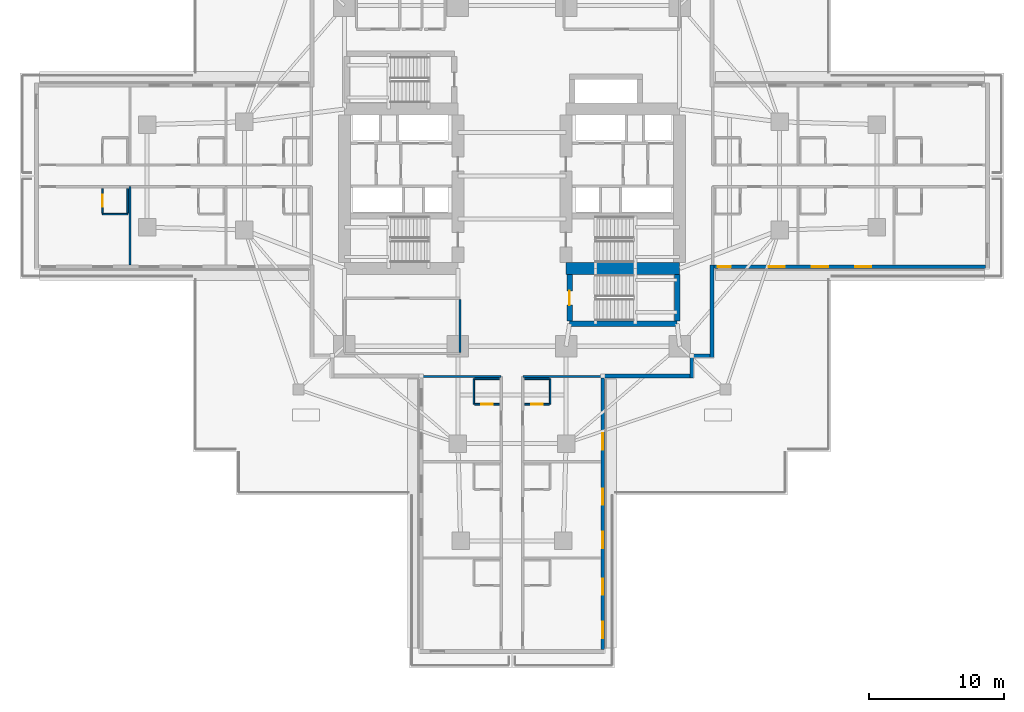
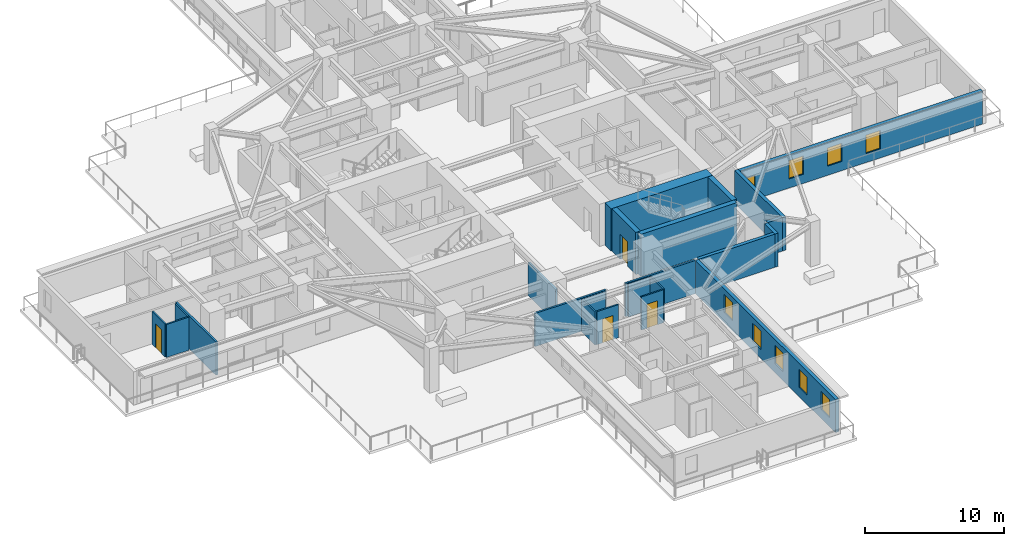
# One storey, part 4 of 15: 23 walls, 8 windows, 5 doors, 13 openings.
"""IFC4 building model written with IfcOpenShell, lengths in metres."""

from ifc_helpers import new_model, si_unit, direction, frame, frame_2d, origin, place, context, subcontext, project, spatial, rectangle, extrude, material, layer, layer_set, type_object, element, fill, save


model = new_model("IFC4")

# Units and contexts
model_context = context("Model", 3, precision=1e-05, world=origin(), true_north=direction((0.0, 1.0)))
body_context = subcontext(model_context, "Body", "Model", "MODEL_VIEW")
ifc_project = project(units=[si_unit("LENGTHUNIT", "METRE"), si_unit("AREAUNIT", "SQUARE_METRE"), si_unit("VOLUMEUNIT", "CUBIC_METRE"), si_unit("PLANEANGLEUNIT", "RADIAN"), si_unit("MASSUNIT", "GRAM", prefix="KILO")], contexts=[model_context])

# Site, building, storey
site_placement = place(None, origin())
site = spatial("IfcSite", under=ifc_project, at=site_placement, CompositionType="ELEMENT")
building_placement = place(site_placement, origin())
building = spatial("IfcBuilding", under=site, at=building_placement, Name="Qingluan Cross Belvedere", CompositionType="ELEMENT")
storey_placement = place(building_placement, frame((0.0, 0.0, 23.699951171875)))
storey = spatial("IfcBuildingStorey", under=building, at=storey_placement, Name="L06", CompositionType="ELEMENT", Elevation=23.699951171875)

# Wall
ifc_material_1 = material(Name="Concrete C50", Category="concrete")
ifc_layer_1 = layer(ifc_material_1, 0.449951171875, Name="CoreShearWall_450")
ifc_layer_set_1 = layer_set([ifc_layer_1], Name="Concrete C50")
wall_type_1 = type_object("IfcWallType", Name="CoreShearWall_450", PredefinedType="SHEAR", material=ifc_layer_set_1)
wall_1_placement = place(storey_placement, frame((4.260009765625, -10.93994140625, 0.0), z_axis=(0.0, 0.0, 1.0), x_axis=(1.0, 0.0, 0.0)))
element("IfcWall", 1, at=wall_1_placement, inside=storey, type_object=wall_type_1, Name="Stair ST4 structural wall S L06", PredefinedType="SHEAR", context=body_context, shape_type="SweptSolid", body=[
    extrude(rectangle(XDim=7.9599609375, YDim=0.39990234375, at=frame_2d((3.97998046875, 0.0))), origin(), (0.0, 0.0, 1.0), 3.699951171875),
])

# Wall, opening, door
wall_2_placement = place(storey_placement, frame((4.260009765625, -10.735107421875, 0.0), z_axis=(0.0, 0.0, 1.0), x_axis=(0.0, 1.0, 0.0)))
wall_2 = element("IfcWall", 2, at=wall_2_placement, inside=storey, type_object=wall_type_1, Name="Stair ST4 structural wall W L06", PredefinedType="SHEAR", context=body_context, shape_type="SweptSolid", body=[
    extrude(rectangle(XDim=3.43017578125, YDim=0.39990234375, at=frame_2d((1.715087890625, 0.0))), origin(), (0.0, 0.0, 1.0), 3.699951171875),
])
opening_1_placement = place(wall_2_placement, frame((1.18505859375, 0.0, 0.0)))
opening_1 = element("IfcOpeningElement", 3, at=opening_1_placement, cuts=wall_2, Name="Opening FD-B11", PredefinedType="OPENING", context=body_context, shape_type="SweptSolid", body=[
    extrude(rectangle(XDim=1.050048828125, YDim=2.14990234375, at=frame_2d((0.52490234375, 1.074951171875))), frame((0.0, 0.2099609375, 0.0), z_axis=(0.0, -1.0, 0.0), x_axis=(1.0, 0.0, 0.0)), (0.0, 0.0, 1.0), 0.419921875),
])
ifc_material_2 = material(Name="Steel Class B smoke-seal fire door", Category="steel")
door_type_1 = type_object("IfcDoorType", Name="StairLobbyFireDoor_FDB", OperationType="NOTDEFINED", PredefinedType="DOOR", material=ifc_material_2)
door_1_placement = place(opening_1_placement, origin())
door_1 = element("IfcDoor", 4, at=door_1_placement, inside=storey, type_object=door_type_1, Name="Smoke-proof stair ST4 fire door L06", OperationType="SINGLE_SWING_LEFT", OverallHeight=2.14990234375, OverallWidth=1.050048828125, PredefinedType="DOOR", context=body_context, shape_type="SweptSolid", body=[
    extrude(rectangle(XDim=1.050048828125, YDim=2.14990234375, at=frame_2d((0.52490234375, 1.074951171875))), frame((0.0, 0.02490234375, 0.0), z_axis=(0.0, -1.0, 0.0), x_axis=(1.0, 0.0, 0.0)), (0.0, 0.0, 1.0), 0.050048828125),
])
fill(opening_1, door_1)

# Walls
wall_3_placement = place(storey_placement, frame((12.219970703125, -10.735107421875, 0.0), z_axis=(0.0, 0.0, 1.0), x_axis=(0.0, 1.0, 0.0)))
element("IfcWall", 5, at=wall_3_placement, inside=storey, type_object=wall_type_1, Name="Stair ST4 structural wall E L06", PredefinedType="SHEAR", context=body_context, shape_type="SweptSolid", body=[
    extrude(rectangle(XDim=3.43017578125, YDim=0.39990234375, at=frame_2d((1.715087890625, 0.0))), origin(), (0.0, 0.0, 1.0), 3.699951171875),
])
ifc_material_3 = material(Name="Concrete C70", Category="concrete")
ifc_layer_2 = layer(ifc_material_3, 0.89990234375, Name="CoreShearWall_900")
ifc_layer_set_2 = layer_set([ifc_layer_2], Name="Concrete C70")
wall_type_2 = type_object("IfcWallType", Name="CoreShearWall_900", PredefinedType="SHEAR", material=ifc_layer_set_2)
wall_4_placement = place(storey_placement, frame((4.0, -6.85009765625, 0.0), z_axis=(0.0, 0.0, 1.0), x_axis=(1.0, 0.0, 0.0)))
element("IfcWall", 6, at=wall_4_placement, inside=storey, type_object=wall_type_2, Name="Split core E shear wall L06-S", PredefinedType="SHEAR", context=body_context, shape_type="SweptSolid", body=[
    extrude(rectangle(XDim=8.39990234375, YDim=0.89990234375, at=frame_2d((4.199951171875, 0.0))), origin(), (0.0, 0.0, 1.0), 3.699951171875),
])
ifc_material_4 = material(Name="Gypsum plasterboard on steel stud acoustic partition", Category="steel")
ifc_layer_3 = layer(ifc_material_4, 0.159912109375, Name="CorridorPartition_160")
ifc_layer_set_3 = layer_set([ifc_layer_3], Name="Gypsum plasterboard on steel stud acoustic partition")
wall_type_3 = type_object("IfcWallType", Name="CorridorPartition_160", PredefinedType="PARTITIONING", material=ifc_layer_set_3)
wall_5_placement = place(storey_placement, frame((-3.85009765625, -13.06494140625, 0.0), z_axis=(0.0, 0.0, 1.0), x_axis=(0.0, 1.0, 0.0)))
element("IfcWall", 7, at=wall_5_placement, inside=storey, type_object=wall_type_3, Name="Partition L06:q_sw:E", PredefinedType="PARTITIONING", context=body_context, shape_type="SweptSolid", body=[
    extrude(rectangle(XDim=3.929931640625, YDim=0.159912109375, at=frame_2d((1.96484375, 0.0))), origin(), (0.0, 0.0, 1.0), 2.900146484375),
])
wall_6_placement = place(storey_placement, frame((-28.26806640625, -0.800048828125, 0.0), z_axis=(0.0, 0.0, 1.0), x_axis=(0.0, -1.0, 0.0)))
element("IfcWall", 8, at=wall_6_placement, inside=storey, type_object=wall_type_3, Name="Partition L06:W:d1_1", PredefinedType="PARTITIONING", context=body_context, shape_type="SweptSolid", body=[
    extrude(rectangle(XDim=5.77197265625, YDim=0.159912109375, at=frame_2d((2.885986328125, 0.0))), origin(), (0.0, 0.0, 1.0), 2.900146484375),
])
for number, where, z_axis, x_axis, name in (
    (9, (0.800048828125, -14.85009765625, 0.0), (0.0, 0.0, 1.0), (1.0, 0.0, 0.0), "Partition L06:S:s0"),
    (10, (-0.800048828125, -14.85009765625, 0.0), (0.0, 0.0, 1.0), (-1.0, 0.0, 0.0), "Partition L06:S:s1"),
):
    element("IfcWall", number, at=place(storey_placement, frame(where, z_axis=z_axis, x_axis=x_axis)), inside=storey, type_object=wall_type_3, Name=name, PredefinedType="PARTITIONING", context=body_context, shape_type="SweptSolid", body=[
        extrude(rectangle(XDim=5.919921875, YDim=0.159912109375, at=frame_2d((2.9599609375, 0.0))), origin(), (0.0, 0.0, 1.0), 2.900146484375),
    ])

# Wall, opening, door
ifc_material_5 = material(Name="Moisture-resistant gypsum board lining")
ifc_layer_4 = layer(ifc_material_5, 0.1201171875, Name="EnsuiteWetPartition_120")
ifc_layer_set_4 = layer_set([ifc_layer_4], Name="Moisture-resistant gypsum board lining")
wall_type_4 = type_object("IfcWallType", Name="EnsuiteWetPartition_120", PredefinedType="PARTITIONING", material=ifc_layer_set_4)
wall_7_placement = place(storey_placement, frame((-30.30810546875, -2.760009765625, 0.0), z_axis=(0.0, 0.0, 1.0), x_axis=(0.0, 1.0, 0.0)))
wall_7 = element("IfcWall", 11, at=wall_7_placement, inside=storey, type_object=wall_type_4, Name="Partition L06:W:bs1_2", PredefinedType="PARTITIONING", context=body_context, shape_type="SweptSolid", body=[
    extrude(rectangle(XDim=1.820068359375, YDim=0.1201171875, at=frame_2d((0.91015625, 0.0))), origin(), (0.0, 0.0, 1.0), 2.900146484375),
])
opening_2_placement = place(wall_7_placement, frame((0.469970703125, 0.0, 0.0)))
opening_2 = element("IfcOpeningElement", 12, at=opening_2_placement, cuts=wall_7, Name="Opening BD-09", PredefinedType="OPENING", context=body_context, shape_type="SweptSolid", body=[
    extrude(rectangle(XDim=0.8798828125, YDim=2.10009765625, at=frame_2d((0.43994140625, 1.050048828125))), frame((0.0, 0.070068359375, 0.0), z_axis=(0.0, -1.0, 0.0), x_axis=(1.0, 0.0, 0.0)), (0.0, 0.0, 1.0), 0.14013671875),
])
ifc_material_6 = material(Name="Moisture-sealed timber en-suite door", Category="wood")
door_type_2 = type_object("IfcDoorType", Name="BathroomDoor_880", OperationType="NOTDEFINED", PredefinedType="DOOR", material=ifc_material_6)
door_2_placement = place(opening_2_placement, origin())
door_2 = element("IfcDoor", 13, at=door_2_placement, inside=storey, type_object=door_type_2, Name="Bathroom door 0612", OperationType="SINGLE_SWING_RIGHT", OverallHeight=2.10009765625, OverallWidth=0.8798828125, PredefinedType="DOOR", context=body_context, shape_type="SweptSolid", body=[
    extrude(rectangle(XDim=0.8798828125, YDim=2.10009765625, at=frame_2d((0.43994140625, 1.050048828125))), frame((0.0, 0.02490234375, 0.0), z_axis=(0.0, -1.0, 0.0), x_axis=(1.0, 0.0, 0.0)), (0.0, 0.0, 1.0), 0.050048828125),
])
fill(opening_2, door_2)

# Walls
wall_8_placement = place(storey_placement, frame((-28.427978515625, -2.760009765625, 0.0), z_axis=(0.0, 0.0, 1.0), x_axis=(0.0, 1.0, 0.0)))
element("IfcWall", 14, at=wall_8_placement, inside=storey, type_object=wall_type_4, Name="Partition L06:W:bw1_2", PredefinedType="PARTITIONING", context=body_context, shape_type="SweptSolid", body=[
    extrude(rectangle(XDim=1.820068359375, YDim=0.1201171875, at=frame_2d((0.91015625, 0.0))), origin(), (0.0, 0.0, 1.0), 2.900146484375),
])
wall_9_placement = place(storey_placement, frame((-28.427978515625, -2.824951171875, 0.0), z_axis=(0.0, 0.0, 1.0), x_axis=(-1.0, 0.0, 0.0)))
element("IfcWall", 15, at=wall_9_placement, inside=storey, type_object=wall_type_4, Name="Partition L06:W:bc1_2", PredefinedType="PARTITIONING", context=body_context, shape_type="SweptSolid", body=[
    extrude(rectangle(XDim=1.880126953125, YDim=0.1201171875, at=frame_2d((0.93994140625, 0.0))), origin(), (0.0, 0.0, 1.0), 2.900146484375),
])

# Wall, opening, door
wall_10_placement = place(storey_placement, frame((0.93994140625, -16.889892578125, 0.0), z_axis=(0.0, 0.0, 1.0), x_axis=(1.0, 0.0, 0.0)))
wall_10 = element("IfcWall", 16, at=wall_10_placement, inside=storey, type_object=wall_type_4, Name="Partition L06:S:bs0_0", PredefinedType="PARTITIONING", context=body_context, shape_type="SweptSolid", body=[
    extrude(rectangle(XDim=1.820068359375, YDim=0.1201171875, at=frame_2d((0.91015625, 0.0))), origin(), (0.0, 0.0, 1.0), 2.900146484375),
])
opening_3_placement = place(wall_10_placement, frame((0.469970703125, 0.0, 0.0)))
opening_3 = element("IfcOpeningElement", 17, at=opening_3_placement, cuts=wall_10, Name="Opening BD-09", PredefinedType="OPENING", context=body_context, shape_type="SweptSolid", body=[
    extrude(rectangle(XDim=0.8798828125, YDim=2.10009765625, at=frame_2d((0.43994140625, 1.050048828125))), frame((0.0, 0.070068359375, 0.0), z_axis=(0.0, -1.0, 0.0), x_axis=(1.0, 0.0, 0.0)), (0.0, 0.0, 1.0), 0.14013671875),
])
door_3_placement = place(opening_3_placement, origin())
door_3 = element("IfcDoor", 18, at=door_3_placement, inside=storey, type_object=door_type_2, Name="Bathroom door 0619", OperationType="SINGLE_SWING_RIGHT", OverallHeight=2.10009765625, OverallWidth=0.8798828125, PredefinedType="DOOR", context=body_context, shape_type="SweptSolid", body=[
    extrude(rectangle(XDim=0.8798828125, YDim=2.10009765625, at=frame_2d((0.43994140625, 1.050048828125))), frame((0.0, 0.02490234375, 0.0), z_axis=(0.0, -1.0, 0.0), x_axis=(1.0, 0.0, 0.0)), (0.0, 0.0, 1.0), 0.050048828125),
])
fill(opening_3, door_3)

# Walls
wall_11_placement = place(storey_placement, frame((0.93994140625, -15.010009765625, 0.0), z_axis=(0.0, 0.0, 1.0), x_axis=(1.0, 0.0, 0.0)))
element("IfcWall", 19, at=wall_11_placement, inside=storey, type_object=wall_type_4, Name="Partition L06:S:bw0_0", PredefinedType="PARTITIONING", context=body_context, shape_type="SweptSolid", body=[
    extrude(rectangle(XDim=1.820068359375, YDim=0.1201171875, at=frame_2d((0.91015625, 0.0))), origin(), (0.0, 0.0, 1.0), 2.900146484375),
])
wall_12_placement = place(storey_placement, frame((2.824951171875, -15.010009765625, 0.0), z_axis=(0.0, 0.0, 1.0), x_axis=(0.0, -1.0, 0.0)))
element("IfcWall", 20, at=wall_12_placement, inside=storey, type_object=wall_type_4, Name="Partition L06:S:bn0_0", PredefinedType="PARTITIONING", context=body_context, shape_type="SweptSolid", body=[
    extrude(rectangle(XDim=1.8798828125, YDim=0.1201171875, at=frame_2d((0.93994140625, 0.0))), origin(), (0.0, 0.0, 1.0), 2.900146484375),
])

# Wall, opening, door
wall_13_placement = place(storey_placement, frame((-2.760009765625, -16.889892578125, 0.0), z_axis=(0.0, 0.0, 1.0), x_axis=(1.0, 0.0, 0.0)))
wall_13 = element("IfcWall", 21, at=wall_13_placement, inside=storey, type_object=wall_type_4, Name="Partition L06:S:bs1_0", PredefinedType="PARTITIONING", context=body_context, shape_type="SweptSolid", body=[
    extrude(rectangle(XDim=1.820068359375, YDim=0.1201171875, at=frame_2d((0.91015625, 0.0))), origin(), (0.0, 0.0, 1.0), 2.900146484375),
])
opening_4_placement = place(wall_13_placement, frame((0.469970703125, 0.0, 0.0)))
opening_4 = element("IfcOpeningElement", 22, at=opening_4_placement, cuts=wall_13, Name="Opening BD-09", PredefinedType="OPENING", context=body_context, shape_type="SweptSolid", body=[
    extrude(rectangle(XDim=0.8798828125, YDim=2.10009765625, at=frame_2d((0.43994140625, 1.050048828125))), frame((0.0, 0.070068359375, 0.0), z_axis=(0.0, -1.0, 0.0), x_axis=(1.0, 0.0, 0.0)), (0.0, 0.0, 1.0), 0.14013671875),
])
door_4_placement = place(opening_4_placement, origin())
door_4 = element("IfcDoor", 23, at=door_4_placement, inside=storey, type_object=door_type_2, Name="Bathroom door 0622", OperationType="SINGLE_SWING_RIGHT", OverallHeight=2.10009765625, OverallWidth=0.8798828125, PredefinedType="DOOR", context=body_context, shape_type="SweptSolid", body=[
    extrude(rectangle(XDim=0.8798828125, YDim=2.10009765625, at=frame_2d((0.43994140625, 1.050048828125))), frame((0.0, 0.02490234375, 0.0), z_axis=(0.0, -1.0, 0.0), x_axis=(1.0, 0.0, 0.0)), (0.0, 0.0, 1.0), 0.050048828125),
])
fill(opening_4, door_4)

# Walls
wall_14_placement = place(storey_placement, frame((-2.760009765625, -15.010009765625, 0.0), z_axis=(0.0, 0.0, 1.0), x_axis=(1.0, 0.0, 0.0)))
element("IfcWall", 24, at=wall_14_placement, inside=storey, type_object=wall_type_4, Name="Partition L06:S:bw1_0", PredefinedType="PARTITIONING", context=body_context, shape_type="SweptSolid", body=[
    extrude(rectangle(XDim=1.820068359375, YDim=0.1201171875, at=frame_2d((0.91015625, 0.0))), origin(), (0.0, 0.0, 1.0), 2.900146484375),
])
wall_15_placement = place(storey_placement, frame((-2.824951171875, -15.010009765625, 0.0), z_axis=(0.0, 0.0, 1.0), x_axis=(0.0, -1.0, 0.0)))
element("IfcWall", 25, at=wall_15_placement, inside=storey, type_object=wall_type_4, Name="Partition L06:S:bc1_0", PredefinedType="PARTITIONING", context=body_context, shape_type="SweptSolid", body=[
    extrude(rectangle(XDim=1.8798828125, YDim=0.1201171875, at=frame_2d((0.93994140625, 0.0))), origin(), (0.0, 0.0, 1.0), 2.900146484375),
])

# Wall, openings, door, windows
ifc_material_7 = material(Name="Precast concrete C45", Category="concrete")
ifc_layer_5 = layer(ifc_material_7, 0.280029296875, Name="PrecastFacadeWall_280")
ifc_layer_set_5 = layer_set([ifc_layer_5], Name="Precast concrete C45")
wall_type_5 = type_object("IfcWallType", Name="PrecastFacadeWall_280", PredefinedType="STANDARD", material=ifc_layer_set_5)
wall_16_placement = place(storey_placement, frame((14.93994140625, -6.719970703125, 0.0), z_axis=(0.0, 0.0, 1.0), x_axis=(1.0, 0.0, 0.0)))
wall_16 = element("IfcWall", 26, at=wall_16_placement, inside=storey, type_object=wall_type_5, Name="Facade wall L06-EA", PredefinedType="STANDARD", context=body_context, shape_type="SweptSolid", body=[
    extrude(rectangle(XDim=20.10009765625, YDim=0.280029296875, at=frame_2d((10.050048828125, 0.0))), origin(), (0.0, 0.0, 1.0), 2.91015625),
])
opening_5_placement = place(wall_16_placement, frame((4.050048828125, 0.0, 0.800048828125)))
opening_5 = element("IfcOpeningElement", 27, at=opening_5_placement, cuts=wall_16, Name="Opening W-02", PredefinedType="OPENING", context=body_context, shape_type="SweptSolid", body=[
    extrude(rectangle(XDim=1.199951171875, YDim=1.60009765625, at=frame_2d((0.60009765625, 0.800048828125))), frame((0.0, 0.14990234375, 0.0), z_axis=(0.0, -1.0, 0.0), x_axis=(1.0, 0.0, 0.0)), (0.0, 0.0, 1.0), 0.300048828125),
])
opening_6_placement = place(wall_16_placement, frame((7.25, 0.0, 0.800048828125)))
opening_6 = element("IfcOpeningElement", 28, at=opening_6_placement, cuts=wall_16, Name="Opening W-02", PredefinedType="OPENING", context=body_context, shape_type="SweptSolid", body=[
    extrude(rectangle(XDim=1.199951171875, YDim=1.60009765625, at=frame_2d((0.60009765625, 0.800048828125))), frame((0.0, 0.14990234375, 0.0), z_axis=(0.0, -1.0, 0.0), x_axis=(1.0, 0.0, 0.0)), (0.0, 0.0, 1.0), 0.300048828125),
])
opening_7_placement = place(wall_16_placement, frame((10.449951171875, 0.0, 0.800048828125)))
opening_7 = element("IfcOpeningElement", 29, at=opening_7_placement, cuts=wall_16, Name="Opening W-02", PredefinedType="OPENING", context=body_context, shape_type="SweptSolid", body=[
    extrude(rectangle(XDim=1.199951171875, YDim=1.60009765625, at=frame_2d((0.60009765625, 0.800048828125))), frame((0.0, 0.14990234375, 0.0), z_axis=(0.0, -1.0, 0.0), x_axis=(1.0, 0.0, 0.0)), (0.0, 0.0, 1.0), 0.300048828125),
])
opening_8_placement = place(wall_16_placement, frame((0.300048828125, 0.0, 0.0)))
opening_8 = element("IfcOpeningElement", 30, at=opening_8_placement, cuts=wall_16, Name="Opening TD-10", PredefinedType="OPENING", context=body_context, shape_type="SweptSolid", body=[
    extrude(rectangle(XDim=0.9599609375, YDim=2.10009765625, at=frame_2d((0.47998046875, 1.050048828125))), frame((0.0, 0.14990234375, 0.0), z_axis=(0.0, -1.0, 0.0), x_axis=(1.0, 0.0, 0.0)), (0.0, 0.0, 1.0), 0.300048828125),
])
ifc_material_8 = material(Name="Thermally broken aluminium and Low-E glass", Category="aluminium")
door_type_3 = type_object("IfcDoorType", Name="SetbackTerraceDoor_096", OperationType="NOTDEFINED", PredefinedType="DOOR", material=ifc_material_8)
door_5_placement = place(opening_8_placement, origin())
door_5 = element("IfcDoor", 31, at=door_5_placement, inside=storey, type_object=door_type_3, Name="Outdoor terrace access door L06-cas4", OperationType="SINGLE_SWING_LEFT", OverallHeight=2.10009765625, OverallWidth=0.9599609375, PredefinedType="DOOR", context=body_context, shape_type="SweptSolid", body=[
    extrude(rectangle(XDim=0.9599609375, YDim=2.10009765625, at=frame_2d((0.47998046875, 1.050048828125))), frame((0.0, 0.02490234375, 0.0), z_axis=(0.0, -1.0, 0.0), x_axis=(1.0, 0.0, 0.0)), (0.0, 0.0, 1.0), 0.050048828125),
])
fill(opening_8, door_5)
ifc_material_9 = material(Name="Thermally broken triple Low-E glass in aluminium frame", Category="aluminium")
window_type = type_object("IfcWindowType", Name="TriRibbonWin_1200x1600", PartitioningType="SINGLE_PANEL", PredefinedType="WINDOW", material=ifc_material_9)
window_1_placement = place(opening_5_placement, origin())
window_1 = element("IfcWindow", 32, at=window_1_placement, inside=storey, type_object=window_type, Name="Ribbon window L06-EA-2", OverallHeight=1.60009765625, OverallWidth=1.199951171875, PartitioningType="SINGLE_PANEL", PredefinedType="WINDOW", context=body_context, shape_type="SweptSolid", body=[
    extrude(rectangle(XDim=1.199951171875, YDim=1.60009765625, at=frame_2d((0.60009765625, 0.800048828125))), frame((0.0, 0.030029296875, 0.0), z_axis=(0.0, -1.0, 0.0), x_axis=(1.0, 0.0, 0.0)), (0.0, 0.0, 1.0), 0.06005859375),
])
fill(opening_5, window_1)
window_2_placement = place(opening_6_placement, origin())
window_2 = element("IfcWindow", 33, at=window_2_placement, inside=storey, type_object=window_type, Name="Ribbon window L06-EA-3", OverallHeight=1.60009765625, OverallWidth=1.199951171875, PartitioningType="SINGLE_PANEL", PredefinedType="WINDOW", context=body_context, shape_type="SweptSolid", body=[
    extrude(rectangle(XDim=1.199951171875, YDim=1.60009765625, at=frame_2d((0.60009765625, 0.800048828125))), frame((0.0, 0.030029296875, 0.0), z_axis=(0.0, -1.0, 0.0), x_axis=(1.0, 0.0, 0.0)), (0.0, 0.0, 1.0), 0.06005859375),
])
fill(opening_6, window_2)
window_3_placement = place(opening_7_placement, origin())
window_3 = element("IfcWindow", 34, at=window_3_placement, inside=storey, type_object=window_type, Name="Ribbon window L06-EA-4", OverallHeight=1.60009765625, OverallWidth=1.199951171875, PartitioningType="SINGLE_PANEL", PredefinedType="WINDOW", context=body_context, shape_type="SweptSolid", body=[
    extrude(rectangle(XDim=1.199951171875, YDim=1.60009765625, at=frame_2d((0.60009765625, 0.800048828125))), frame((0.0, 0.030029296875, 0.0), z_axis=(0.0, -1.0, 0.0), x_axis=(1.0, 0.0, 0.0)), (0.0, 0.0, 1.0), 0.06005859375),
])
fill(opening_7, window_3)

# Wall, openings, windows
wall_17_placement = place(storey_placement, frame((6.719970703125, -35.0400390625, 0.0), z_axis=(0.0, 0.0, 1.0), x_axis=(0.0, 1.0, 0.0)))
wall_17 = element("IfcWall", 35, at=wall_17_placement, inside=storey, type_object=wall_type_5, Name="Facade wall L06-SB", PredefinedType="STANDARD", context=body_context, shape_type="SweptSolid", body=[
    extrude(rectangle(XDim=20.10009765625, YDim=0.280029296875, at=frame_2d((10.050048828125, 0.0))), origin(), (0.0, 0.0, 1.0), 2.91015625),
])
opening_9_placement = place(wall_17_placement, frame((0.85009765625, 0.0, 0.800048828125)))
opening_9 = element("IfcOpeningElement", 36, at=opening_9_placement, cuts=wall_17, Name="Opening W-02", PredefinedType="OPENING", context=body_context, shape_type="SweptSolid", body=[
    extrude(rectangle(XDim=1.199951171875, YDim=1.60009765625, at=frame_2d((0.60009765625, 0.800048828125))), frame((0.0, 0.14990234375, 0.0), z_axis=(0.0, -1.0, 0.0), x_axis=(1.0, 0.0, 0.0)), (0.0, 0.0, 1.0), 0.300048828125),
])
opening_10_placement = place(wall_17_placement, frame((4.050048828125, 0.0, 0.800048828125)))
opening_10 = element("IfcOpeningElement", 37, at=opening_10_placement, cuts=wall_17, Name="Opening W-02", PredefinedType="OPENING", context=body_context, shape_type="SweptSolid", body=[
    extrude(rectangle(XDim=1.199951171875, YDim=1.60009765625, at=frame_2d((0.60009765625, 0.800048828125))), frame((0.0, 0.14990234375, 0.0), z_axis=(0.0, -1.0, 0.0), x_axis=(1.0, 0.0, 0.0)), (0.0, 0.0, 1.0), 0.300048828125),
])
opening_11_placement = place(wall_17_placement, frame((7.5, 0.0, 0.800048828125)))
opening_11 = element("IfcOpeningElement", 38, at=opening_11_placement, cuts=wall_17, Name="Opening W-02", PredefinedType="OPENING", context=body_context, shape_type="SweptSolid", body=[
    extrude(rectangle(XDim=1.199951171875, YDim=1.60009765625, at=frame_2d((0.60009765625, 0.800048828125))), frame((0.0, 0.14990234375, 0.0), z_axis=(0.0, -1.0, 0.0), x_axis=(1.0, 0.0, 0.0)), (0.0, 0.0, 1.0), 0.300048828125),
])
opening_12_placement = place(wall_17_placement, frame((10.699951171875, 0.0, 0.800048828125)))
opening_12 = element("IfcOpeningElement", 39, at=opening_12_placement, cuts=wall_17, Name="Opening W-02", PredefinedType="OPENING", context=body_context, shape_type="SweptSolid", body=[
    extrude(rectangle(XDim=1.199951171875, YDim=1.60009765625, at=frame_2d((0.60009765625, 0.800048828125))), frame((0.0, 0.14990234375, 0.0), z_axis=(0.0, -1.0, 0.0), x_axis=(1.0, 0.0, 0.0)), (0.0, 0.0, 1.0), 0.300048828125),
])
opening_13_placement = place(wall_17_placement, frame((14.799072265625, 0.0, 0.85009765625)))
opening_13 = element("IfcOpeningElement", 40, at=opening_13_placement, cuts=wall_17, Name="Opening W-02", PredefinedType="OPENING", context=body_context, shape_type="SweptSolid", body=[
    extrude(rectangle(XDim=1.199951171875, YDim=1.60009765625, at=frame_2d((0.60009765625, 0.800048828125))), frame((0.0, 0.14990234375, 0.0), z_axis=(0.0, -1.0, 0.0), x_axis=(1.0, 0.0, 0.0)), (0.0, 0.0, 1.0), 0.300048828125),
])
window_4_placement = place(opening_9_placement, origin())
window_4 = element("IfcWindow", 41, at=window_4_placement, inside=storey, type_object=window_type, Name="Ribbon window L06-SB-1", OverallHeight=1.60009765625, OverallWidth=1.199951171875, PartitioningType="SINGLE_PANEL", PredefinedType="WINDOW", context=body_context, shape_type="SweptSolid", body=[
    extrude(rectangle(XDim=1.199951171875, YDim=1.60009765625, at=frame_2d((0.60009765625, 0.800048828125))), frame((0.0, 0.030029296875, 0.0), z_axis=(0.0, -1.0, 0.0), x_axis=(1.0, 0.0, 0.0)), (0.0, 0.0, 1.0), 0.06005859375),
])
fill(opening_9, window_4)
window_5_placement = place(opening_10_placement, origin())
window_5 = element("IfcWindow", 42, at=window_5_placement, inside=storey, type_object=window_type, Name="Ribbon window L06-SB-2", OverallHeight=1.60009765625, OverallWidth=1.199951171875, PartitioningType="SINGLE_PANEL", PredefinedType="WINDOW", context=body_context, shape_type="SweptSolid", body=[
    extrude(rectangle(XDim=1.199951171875, YDim=1.60009765625, at=frame_2d((0.60009765625, 0.800048828125))), frame((0.0, 0.030029296875, 0.0), z_axis=(0.0, -1.0, 0.0), x_axis=(1.0, 0.0, 0.0)), (0.0, 0.0, 1.0), 0.06005859375),
])
fill(opening_10, window_5)
window_6_placement = place(opening_11_placement, origin())
window_6 = element("IfcWindow", 43, at=window_6_placement, inside=storey, type_object=window_type, Name="Ribbon window L06-SB-3", OverallHeight=1.60009765625, OverallWidth=1.199951171875, PartitioningType="SINGLE_PANEL", PredefinedType="WINDOW", context=body_context, shape_type="SweptSolid", body=[
    extrude(rectangle(XDim=1.199951171875, YDim=1.60009765625, at=frame_2d((0.60009765625, 0.800048828125))), frame((0.0, 0.030029296875, 0.0), z_axis=(0.0, -1.0, 0.0), x_axis=(1.0, 0.0, 0.0)), (0.0, 0.0, 1.0), 0.06005859375),
])
fill(opening_11, window_6)
window_7_placement = place(opening_12_placement, origin())
window_7 = element("IfcWindow", 44, at=window_7_placement, inside=storey, type_object=window_type, Name="Ribbon window L06-SB-4", OverallHeight=1.60009765625, OverallWidth=1.199951171875, PartitioningType="SINGLE_PANEL", PredefinedType="WINDOW", context=body_context, shape_type="SweptSolid", body=[
    extrude(rectangle(XDim=1.199951171875, YDim=1.60009765625, at=frame_2d((0.60009765625, 0.800048828125))), frame((0.0, 0.030029296875, 0.0), z_axis=(0.0, -1.0, 0.0), x_axis=(1.0, 0.0, 0.0)), (0.0, 0.0, 1.0), 0.06005859375),
])
fill(opening_12, window_7)
window_8_placement = place(opening_13_placement, origin())
window_8 = element("IfcWindow", 45, at=window_8_placement, inside=storey, type_object=window_type, Name="Deluxe guest room 0619 daylight window", OverallHeight=1.60009765625, OverallWidth=1.199951171875, PartitioningType="SINGLE_PANEL", PredefinedType="WINDOW", context=body_context, shape_type="SweptSolid", body=[
    extrude(rectangle(XDim=1.199951171875, YDim=1.60009765625, at=frame_2d((0.60009765625, 0.800048828125))), frame((0.0, 0.030029296875, 0.0), z_axis=(0.0, -1.0, 0.0), x_axis=(1.0, 0.0, 0.0)), (0.0, 0.0, 1.0), 0.06005859375),
])
fill(opening_13, window_8)

# Walls
wall_18_placement = place(storey_placement, frame((14.800048828125, -6.580078125, 0.0), z_axis=(0.0, 0.0, 1.0), x_axis=(0.0, -1.0, 0.0)))
element("IfcWall", 46, at=wall_18_placement, inside=storey, type_object=wall_type_5, Name="Corner wall L06-SE1", PredefinedType="STANDARD", context=body_context, shape_type="SweptSolid", body=[
    extrude(rectangle(XDim=6.85986328125, YDim=0.280029296875, at=frame_2d((3.429931640625, 0.0))), origin(), (0.0, 0.0, 1.0), 2.91015625),
])
wall_19_placement = place(storey_placement, frame((14.659912109375, -13.300048828125, 0.0), z_axis=(0.0, 0.0, 1.0), x_axis=(-1.0, 0.0, 0.0)))
element("IfcWall", 47, at=wall_19_placement, inside=storey, type_object=wall_type_5, Name="Corner wall L06-SE2", PredefinedType="STANDARD", context=body_context, shape_type="SweptSolid", body=[
    extrude(rectangle(XDim=1.219970703125, YDim=0.280029296875, at=frame_2d((0.60986328125, 0.0))), origin(), (0.0, 0.0, 1.0), 2.91015625),
])
wall_20_placement = place(storey_placement, frame((13.300048828125, -13.43994140625, 0.0), z_axis=(0.0, 0.0, 1.0), x_axis=(0.0, -1.0, 0.0)))
element("IfcWall", 48, at=wall_20_placement, inside=storey, type_object=wall_type_5, Name="Corner wall L06-SE3", PredefinedType="STANDARD", context=body_context, shape_type="SweptSolid", body=[
    extrude(rectangle(XDim=1.5, YDim=0.280029296875, at=frame_2d((0.75, 0.0))), origin(), (0.0, 0.0, 1.0), 2.91015625),
])
wall_21_placement = place(storey_placement, frame((13.159912109375, -14.800048828125, 0.0), z_axis=(0.0, 0.0, 1.0), x_axis=(-1.0, 0.0, 0.0)))
element("IfcWall", 49, at=wall_21_placement, inside=storey, type_object=wall_type_5, Name="Corner wall L06-SE4", PredefinedType="STANDARD", context=body_context, shape_type="SweptSolid", body=[
    extrude(rectangle(XDim=6.2998046875, YDim=0.280029296875, at=frame_2d((3.14990234375, 0.0))), origin(), (0.0, 0.0, 1.0), 2.91015625),
])

save(model, "model.ifc")
